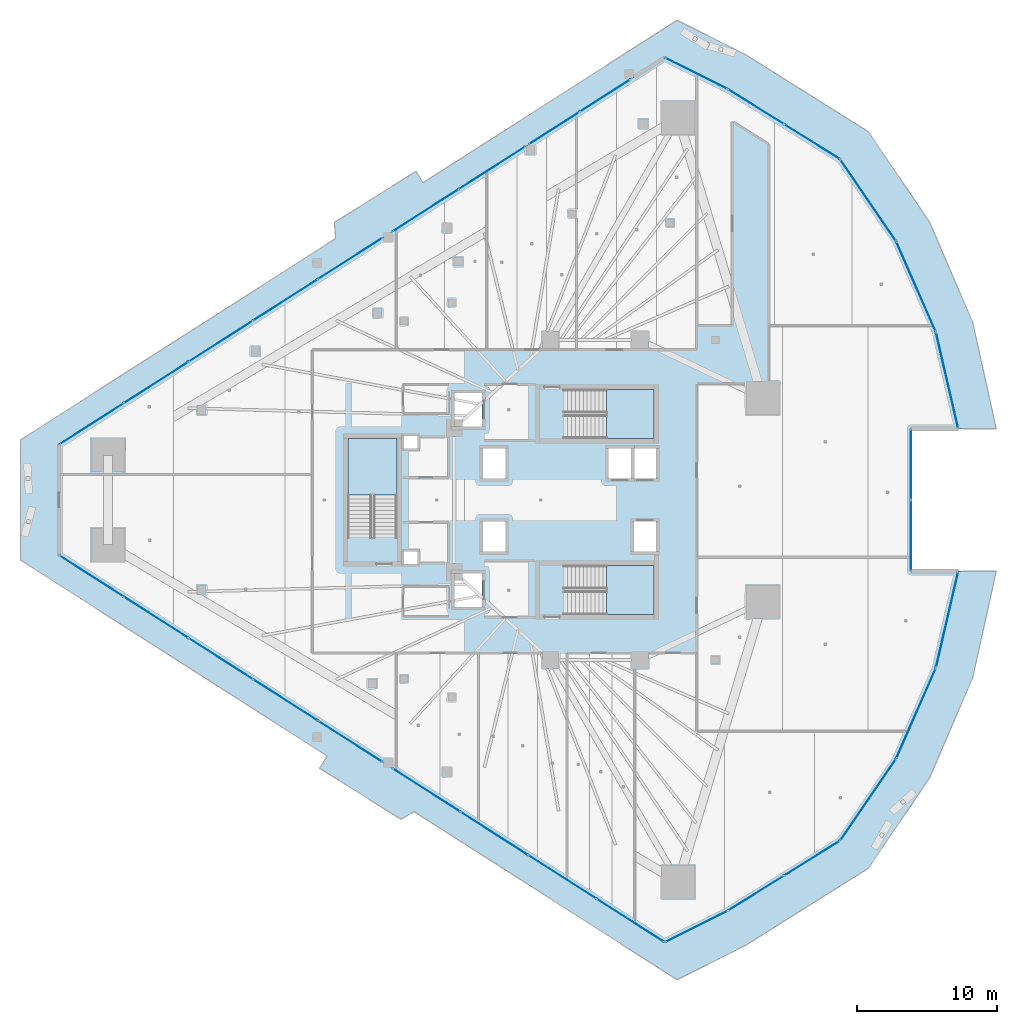
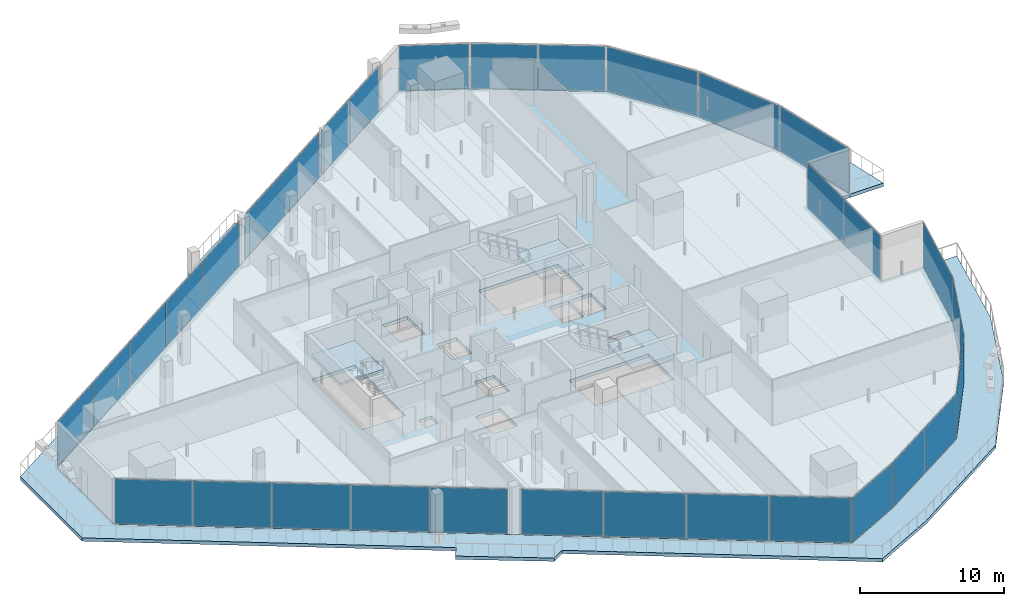
# One storey, part 28 of 45: 32 plates, 5 slabs, 19 elements without a shape of their own.
"""IFC4 building model written with IfcOpenShell, lengths in metres."""

from ifc_helpers import new_model, si_unit, direction, frame, origin, origin_2d, place, context, subcontext, project, spatial, polyline, rectangle, outline, extrude, material, layer, layer_set, type_object, element, aggregate, save


model = new_model("IFC4")

# Units and contexts
model_context = context("Model", 3, precision=1e-05, world=origin(), true_north=direction((0.0, 1.0)))
body_context = subcontext(model_context, "Body", "Model", "MODEL_VIEW")
ifc_project = project(units=[si_unit("LENGTHUNIT", "METRE"), si_unit("AREAUNIT", "SQUARE_METRE"), si_unit("VOLUMEUNIT", "CUBIC_METRE"), si_unit("PLANEANGLEUNIT", "RADIAN"), si_unit("MASSUNIT", "GRAM", prefix="KILO")], contexts=[model_context])

# Site, building, storey
site_placement = place(None, origin())
site = spatial("IfcSite", under=ifc_project, at=site_placement, CompositionType="ELEMENT")
building_placement = place(site_placement, origin())
building = spatial("IfcBuilding", under=site, at=building_placement, Name="Qorvath Tower", CompositionType="ELEMENT")
storey_placement = place(building_placement, frame((0.0, 0.0, 91.199951171875)))
storey = spatial("IfcBuildingStorey", under=building, at=storey_placement, Name="L20", CompositionType="ELEMENT", Elevation=91.199951171875)

# Curtain wall, plates
ifc_material_1 = material(Name="Anodised aluminium and triple low-E glass", Category="aluminium")
ifc_layer_1 = layer(ifc_material_1, 0.179931640625)
ifc_layer_set_1 = layer_set([ifc_layer_1], Name="CW-SYS-2")
curtain_wall_type = type_object("IfcCurtainWallType", Name="CW-SYS-2", PredefinedType="NOTDEFINED", material=ifc_layer_set_1)
curtain_wall_1_placement = place(storey_placement, origin())
curtain_wall_1 = element("IfcCurtainWall", 1, at=curtain_wall_1_placement, inside=storey, type_object=curtain_wall_type, Name="Curtain Wall CW-2 CW-T-L20-2.1", PredefinedType="NOTDEFINED")
ifc_material_2 = material(Name="Low-E triple insulated glass", Category="glass")
ifc_layer_2 = layer(ifc_material_2, 0.031982421875)
ifc_layer_set_2 = layer_set([ifc_layer_2], Name="CWP-GLZ-32")
plate_type = type_object("IfcPlateType", Name="CWP-GLZ-32", PredefinedType="CURTAIN_PANEL", material=ifc_layer_set_2)
plate_1_placement = place(storey_placement, frame((-56.46240234375, -5.447509765625, 0.065185546875), z_axis=(0.0, 0.0, 1.0), x_axis=(0.842606791309, -0.53852928912, 0.0)))
plate_1 = element("IfcPlate", 2, at=plate_1_placement, type_object=plate_type, Name="CW-2 panel 1.1", PredefinedType="CURTAIN_PANEL", context=body_context, shape_type="SweptSolid", body=[
    extrude(rectangle(XDim=5.402587890625, YDim=0.031982421875, at=origin_2d()), origin(), (0.0, 0.0, 1.0), 3.7900390625),
])
plate_2_placement = place(storey_placement, frame((-51.841796875, -8.400634765625, 0.065185546875), z_axis=(0.0, 0.0, 1.0), x_axis=(0.842606791309, -0.53852928912, 0.0)))
plate_2 = element("IfcPlate", 3, at=plate_2_placement, type_object=plate_type, Name="CW-2 panel 2.1", PredefinedType="CURTAIN_PANEL", context=body_context, shape_type="SweptSolid", body=[
    extrude(rectangle(XDim=5.43505859375, YDim=0.031982421875, at=origin_2d()), origin(), (0.0, 0.0, 1.0), 3.7900390625),
])
plate_3_placement = place(storey_placement, frame((-47.20751953125, -11.362548828125, 0.065185546875), z_axis=(0.0, 0.0, 1.0), x_axis=(0.842606791309, -0.53852928912, 0.0)))
plate_3 = element("IfcPlate", 4, at=plate_3_placement, type_object=plate_type, Name="CW-2 panel 3.1", PredefinedType="CURTAIN_PANEL", context=body_context, shape_type="SweptSolid", body=[
    extrude(rectangle(XDim=5.43505859375, YDim=0.031982421875, at=origin_2d()), origin(), (0.0, 0.0, 1.0), 3.7900390625),
])
plate_4_placement = place(storey_placement, frame((-42.572998046875, -14.324462890625, 0.065185546875), z_axis=(0.0, 0.0, 1.0), x_axis=(0.842606791309, -0.53852928912, 0.0)))
plate_4 = element("IfcPlate", 5, at=plate_4_placement, type_object=plate_type, Name="CW-2 panel 4.1", PredefinedType="CURTAIN_PANEL", context=body_context, shape_type="SweptSolid", body=[
    extrude(rectangle(XDim=5.43505859375, YDim=0.031982421875, at=origin_2d()), origin(), (0.0, 0.0, 1.0), 3.7900390625),
])
plate_5_placement = place(storey_placement, frame((-37.952392578125, -17.277587890625, 0.065185546875), z_axis=(0.0, 0.0, 1.0), x_axis=(0.842606791309, -0.53852928912, 0.0)))
plate_5 = element("IfcPlate", 6, at=plate_5_placement, type_object=plate_type, Name="CW-2 panel 5.1", PredefinedType="CURTAIN_PANEL", context=body_context, shape_type="SweptSolid", body=[
    extrude(rectangle(XDim=5.402587890625, YDim=0.031982421875, at=origin_2d()), origin(), (0.0, 0.0, 1.0), 3.7900390625),
])
aggregate(curtain_wall_1, [plate_1, plate_2, plate_3, plate_4, plate_5])

curtain_wall_2_placement = place(storey_placement, origin())
curtain_wall_2 = element("IfcCurtainWall", 7, at=curtain_wall_2_placement, inside=storey, type_object=curtain_wall_type, Name="Curtain Wall CW-2 CW-T-L20-2.2", PredefinedType="NOTDEFINED")
plate_6_placement = place(storey_placement, frame((-32.49462890625, -20.765869140625, 0.065185546875), z_axis=(0.0, 0.0, 1.0), x_axis=(0.842600838238, -0.538538603445, 0.0)))
plate_6 = element("IfcPlate", 8, at=plate_6_placement, type_object=plate_type, Name="CW-2 panel 1.1", PredefinedType="CURTAIN_PANEL", context=body_context, shape_type="SweptSolid", body=[
    extrude(rectangle(XDim=5.688232421875, YDim=0.031982421875, at=origin_2d()), origin(), (0.0, 0.0, 1.0), 3.7900390625),
])
plate_7_placement = place(storey_placement, frame((-27.63330078125, -23.872802734375, 0.065185546875), z_axis=(0.0, 0.0, 1.0), x_axis=(0.842600838238, -0.538538603445, 0.0)))
plate_7 = element("IfcPlate", 9, at=plate_7_placement, type_object=plate_type, Name="CW-2 panel 2.1", PredefinedType="CURTAIN_PANEL", context=body_context, shape_type="SweptSolid", body=[
    extrude(rectangle(XDim=5.720703125, YDim=0.031982421875, at=origin_2d()), origin(), (0.0, 0.0, 1.0), 3.7900390625),
])
plate_8_placement = place(storey_placement, frame((-22.75830078125, -26.98876953125, 0.065185546875), z_axis=(0.0, 0.0, 1.0), x_axis=(0.842600838238, -0.538538603445, 0.0)))
plate_8 = element("IfcPlate", 10, at=plate_8_placement, type_object=plate_type, Name="CW-2 panel 3.1", PredefinedType="CURTAIN_PANEL", context=body_context, shape_type="SweptSolid", body=[
    extrude(rectangle(XDim=5.720703125, YDim=0.031982421875, at=origin_2d()), origin(), (0.0, 0.0, 1.0), 3.7900390625),
])
plate_9_placement = place(storey_placement, frame((-17.89697265625, -30.095703125, 0.065185546875), z_axis=(0.0, 0.0, 1.0), x_axis=(0.842600838238, -0.538538603445, 0.0)))
plate_9 = element("IfcPlate", 11, at=plate_9_placement, type_object=plate_type, Name="CW-2 panel 4.1", PredefinedType="CURTAIN_PANEL", context=body_context, shape_type="SweptSolid", body=[
    extrude(rectangle(XDim=5.688232421875, YDim=0.031982421875, at=origin_2d()), origin(), (0.0, 0.0, 1.0), 3.7900390625),
])
aggregate(curtain_wall_2, [plate_6, plate_7, plate_8, plate_9])

# Curtain wall, plate
curtain_wall_3_placement = place(storey_placement, origin())
curtain_wall_3 = element("IfcCurtainWall", 12, at=curtain_wall_3_placement, inside=storey, type_object=curtain_wall_type, Name="Curtain Wall CW-2 CW-T-L20-3.1", PredefinedType="NOTDEFINED")
plate_10_placement = place(storey_placement, frame((-13.18408203125, -30.531494140625, 0.065185546875), z_axis=(0.0, 0.0, 1.0), x_axis=(0.894411371347, 0.447245233408, 0.0)))
plate_10 = element("IfcPlate", 13, at=plate_10_placement, type_object=plate_type, Name="CW-2 panel 1.1", PredefinedType="CURTAIN_PANEL", context=body_context, shape_type="SweptSolid", body=[
    extrude(rectangle(XDim=4.92724609375, YDim=0.031982421875, at=origin_2d()), origin(), (0.0, 0.0, 1.0), 3.7900390625),
])
aggregate(curtain_wall_3, [plate_10])

# Curtain wall, plates
curtain_wall_4_placement = place(storey_placement, origin())
curtain_wall_4 = element("IfcCurtainWall", 14, at=curtain_wall_4_placement, inside=storey, type_object=curtain_wall_type, Name="Curtain Wall CW-2 CW-T-L20-4.1", PredefinedType="NOTDEFINED")
plate_11_placement = place(storey_placement, frame((-8.898681640625, -28.136962890625, 0.065185546875), z_axis=(0.0, 0.0, 1.0), x_axis=(0.848250097573, 0.529595857203, 0.0)))
plate_11 = element("IfcPlate", 15, at=plate_11_placement, type_object=plate_type, Name="CW-2 panel 1.1", PredefinedType="CURTAIN_PANEL", context=body_context, shape_type="SweptSolid", body=[
    extrude(rectangle(XDim=4.641845703125, YDim=0.031982421875, at=origin_2d()), origin(), (0.0, 0.0, 1.0), 3.7900390625),
])
plate_12_placement = place(storey_placement, frame((-4.906005859375, -25.644287109375, 0.065185546875), z_axis=(0.0, 0.0, 1.0), x_axis=(0.848250097573, 0.529595857203, 0.0)))
plate_12 = element("IfcPlate", 16, at=plate_12_placement, type_object=plate_type, Name="CW-2 panel 2.1", PredefinedType="CURTAIN_PANEL", context=body_context, shape_type="SweptSolid", body=[
    extrude(rectangle(XDim=4.641845703125, YDim=0.031982421875, at=origin_2d()), origin(), (0.0, 0.0, 1.0), 3.7900390625),
])
aggregate(curtain_wall_4, [plate_11, plate_12])

# Curtain wall, plate
curtain_wall_5_placement = place(storey_placement, origin())
curtain_wall_5 = element("IfcCurtainWall", 17, at=curtain_wall_5_placement, inside=storey, type_object=curtain_wall_type, Name="Curtain Wall CW-2 CW-T-L20-5.1", PredefinedType="NOTDEFINED")
plate_13_placement = place(storey_placement, frame((-0.879638671875, -21.449462890625, 0.065185546875), z_axis=(0.0, 0.0, 1.0), x_axis=(0.564061676895, 0.825732659314, 0.0)))
plate_13 = element("IfcPlate", 18, at=plate_13_placement, type_object=plate_type, Name="CW-2 panel 1.1", PredefinedType="CURTAIN_PANEL", context=body_context, shape_type="SweptSolid", body=[
    extrude(rectangle(XDim=6.9697265625, YDim=0.031982421875, at=origin_2d()), origin(), (0.0, 0.0, 1.0), 3.7900390625),
])
aggregate(curtain_wall_5, [plate_13])

curtain_wall_6_placement = place(storey_placement, origin())
curtain_wall_6 = element("IfcCurtainWall", 19, at=curtain_wall_6_placement, inside=storey, type_object=curtain_wall_type, Name="Curtain Wall CW-2 CW-T-L20-6.1", PredefinedType="NOTDEFINED")
plate_14_placement = place(storey_placement, frame((2.5478515625, -15.266845703125, 0.065185546875), z_axis=(0.0, 0.0, 1.0), x_axis=(0.401477051262, 0.915869083062, 0.0)))
plate_14 = element("IfcPlate", 20, at=plate_14_placement, type_object=plate_type, Name="CW-2 panel 1.1", PredefinedType="CURTAIN_PANEL", context=body_context, shape_type="SweptSolid", body=[
    extrude(rectangle(XDim=6.969970703125, YDim=0.031982421875, at=origin_2d()), origin(), (0.0, 0.0, 1.0), 3.7900390625),
])
aggregate(curtain_wall_6, [plate_14])

curtain_wall_7_placement = place(storey_placement, origin())
curtain_wall_7 = element("IfcCurtainWall", 21, at=curtain_wall_7_placement, inside=storey, type_object=curtain_wall_type, Name="Curtain Wall CW-2 CW-T-L20-7.1", PredefinedType="NOTDEFINED")
plate_15_placement = place(storey_placement, frame((4.77197265625, -8.556640625, 0.065185546875), z_axis=(0.0, 0.0, 1.0), x_axis=(0.225034377346, 0.974350824402, 0.0)))
plate_15 = element("IfcPlate", 22, at=plate_15_placement, type_object=plate_type, Name="CW-2 panel 1.1", PredefinedType="CURTAIN_PANEL", context=body_context, shape_type="SweptSolid", body=[
    extrude(rectangle(XDim=6.9697265625, YDim=0.031982421875, at=origin_2d()), origin(), (0.0, 0.0, 1.0), 3.7900390625),
])
aggregate(curtain_wall_7, [plate_15])

# Curtain wall, plates
curtain_wall_8_placement = place(storey_placement, origin())
curtain_wall_8 = element("IfcCurtainWall", 23, at=curtain_wall_8_placement, inside=storey, type_object=curtain_wall_type, Name="Curtain Wall CW-2 CW-T-L20-9.1", PredefinedType="NOTDEFINED")
plate_16_placement = place(storey_placement, frame((2.17236328125, -2.53271484375, 0.065185546875), z_axis=(0.0, 0.0, 1.0), x_axis=(0.0, 1.0, 0.0)))
plate_16 = element("IfcPlate", 24, at=plate_16_placement, type_object=plate_type, Name="CW-2 panel 1.1", PredefinedType="CURTAIN_PANEL", context=body_context, shape_type="SweptSolid", body=[
    extrude(rectangle(XDim=5.000244140625, YDim=0.031982421875, at=origin_2d()), origin(), (0.0, 0.0, 1.0), 3.7900390625),
])
plate_17_placement = place(storey_placement, frame((2.17236328125, 2.53271484375, 0.065185546875), z_axis=(0.0, 0.0, 1.0), x_axis=(0.0, 1.0, 0.0)))
plate_17 = element("IfcPlate", 25, at=plate_17_placement, type_object=plate_type, Name="CW-2 panel 2.1", PredefinedType="CURTAIN_PANEL", context=body_context, shape_type="SweptSolid", body=[
    extrude(rectangle(XDim=5.000244140625, YDim=0.031982421875, at=origin_2d()), origin(), (0.0, 0.0, 1.0), 3.7900390625),
])
aggregate(curtain_wall_8, [plate_16, plate_17])

# Curtain wall, plate
curtain_wall_9_placement = place(storey_placement, origin())
curtain_wall_9 = element("IfcCurtainWall", 26, at=curtain_wall_9_placement, inside=storey, type_object=curtain_wall_type, Name="Curtain Wall CW-2 CW-T-L20-11.1", PredefinedType="NOTDEFINED")
plate_18_placement = place(storey_placement, frame((4.77197265625, 8.556640625, 0.065185546875), z_axis=(0.0, 0.0, 1.0), x_axis=(-0.225034377346, 0.974350824402, 0.0)))
plate_18 = element("IfcPlate", 27, at=plate_18_placement, type_object=plate_type, Name="CW-2 panel 1.1", PredefinedType="CURTAIN_PANEL", context=body_context, shape_type="SweptSolid", body=[
    extrude(rectangle(XDim=6.9697265625, YDim=0.031982421875, at=origin_2d()), origin(), (0.0, 0.0, 1.0), 3.7900390625),
])
aggregate(curtain_wall_9, [plate_18])

curtain_wall_10_placement = place(storey_placement, origin())
curtain_wall_10 = element("IfcCurtainWall", 28, at=curtain_wall_10_placement, inside=storey, type_object=curtain_wall_type, Name="Curtain Wall CW-2 CW-T-L20-12.1", PredefinedType="NOTDEFINED")
plate_19_placement = place(storey_placement, frame((2.5478515625, 15.266845703125, 0.065185546875), z_axis=(0.0, 0.0, 1.0), x_axis=(-0.401477051262, 0.915869083062, 0.0)))
plate_19 = element("IfcPlate", 29, at=plate_19_placement, type_object=plate_type, Name="CW-2 panel 1.1", PredefinedType="CURTAIN_PANEL", context=body_context, shape_type="SweptSolid", body=[
    extrude(rectangle(XDim=6.969970703125, YDim=0.031982421875, at=origin_2d()), origin(), (0.0, 0.0, 1.0), 3.7900390625),
])
aggregate(curtain_wall_10, [plate_19])

curtain_wall_11_placement = place(storey_placement, origin())
curtain_wall_11 = element("IfcCurtainWall", 30, at=curtain_wall_11_placement, inside=storey, type_object=curtain_wall_type, Name="Curtain Wall CW-2 CW-T-L20-13.1", PredefinedType="NOTDEFINED")
plate_20_placement = place(storey_placement, frame((-0.879638671875, 21.449462890625, 0.065185546875), z_axis=(0.0, 0.0, 1.0), x_axis=(-0.564061676895, 0.825732659314, 0.0)))
plate_20 = element("IfcPlate", 31, at=plate_20_placement, type_object=plate_type, Name="CW-2 panel 1.1", PredefinedType="CURTAIN_PANEL", context=body_context, shape_type="SweptSolid", body=[
    extrude(rectangle(XDim=6.9697265625, YDim=0.031982421875, at=origin_2d()), origin(), (0.0, 0.0, 1.0), 3.7900390625),
])
aggregate(curtain_wall_11, [plate_20])

# Curtain wall, plates
curtain_wall_12_placement = place(storey_placement, origin())
curtain_wall_12 = element("IfcCurtainWall", 32, at=curtain_wall_12_placement, inside=storey, type_object=curtain_wall_type, Name="Curtain Wall CW-2 CW-T-L20-14.1", PredefinedType="NOTDEFINED")
plate_21_placement = place(storey_placement, frame((-4.906005859375, 25.644287109375, 0.065185546875), z_axis=(0.0, 0.0, 1.0), x_axis=(-0.848250097573, 0.529595857203, 0.0)))
plate_21 = element("IfcPlate", 33, at=plate_21_placement, type_object=plate_type, Name="CW-2 panel 1.1", PredefinedType="CURTAIN_PANEL", context=body_context, shape_type="SweptSolid", body=[
    extrude(rectangle(XDim=4.641845703125, YDim=0.031982421875, at=origin_2d()), origin(), (0.0, 0.0, 1.0), 3.7900390625),
])
plate_22_placement = place(storey_placement, frame((-8.898681640625, 28.136962890625, 0.065185546875), z_axis=(0.0, 0.0, 1.0), x_axis=(-0.848250097573, 0.529595857203, 0.0)))
plate_22 = element("IfcPlate", 34, at=plate_22_placement, type_object=plate_type, Name="CW-2 panel 2.1", PredefinedType="CURTAIN_PANEL", context=body_context, shape_type="SweptSolid", body=[
    extrude(rectangle(XDim=4.641845703125, YDim=0.031982421875, at=origin_2d()), origin(), (0.0, 0.0, 1.0), 3.7900390625),
])
aggregate(curtain_wall_12, [plate_21, plate_22])

# Curtain wall, plate
curtain_wall_13_placement = place(storey_placement, origin())
curtain_wall_13 = element("IfcCurtainWall", 35, at=curtain_wall_13_placement, inside=storey, type_object=curtain_wall_type, Name="Curtain Wall CW-2 CW-T-L20-15.1", PredefinedType="NOTDEFINED")
plate_23_placement = place(storey_placement, frame((-13.18408203125, 30.531494140625, 0.065185546875), z_axis=(0.0, 0.0, 1.0), x_axis=(-0.894411371347, 0.447245233408, 0.0)))
plate_23 = element("IfcPlate", 36, at=plate_23_placement, type_object=plate_type, Name="CW-2 panel 1.1", PredefinedType="CURTAIN_PANEL", context=body_context, shape_type="SweptSolid", body=[
    extrude(rectangle(XDim=4.92724609375, YDim=0.031982421875, at=origin_2d()), origin(), (0.0, 0.0, 1.0), 3.7900390625),
])
aggregate(curtain_wall_13, [plate_23])

# Curtain wall, plates
curtain_wall_14_placement = place(storey_placement, origin())
curtain_wall_14 = element("IfcCurtainWall", 37, at=curtain_wall_14_placement, inside=storey, type_object=curtain_wall_type, Name="Curtain Wall CW-2 CW-T-L20-16.2", PredefinedType="NOTDEFINED")
plate_24_placement = place(storey_placement, frame((-19.696044921875, 28.94580078125, 0.065185546875), z_axis=(0.0, 0.0, 1.0), x_axis=(-0.842599952158, -0.538539989809, 0.0)))
plate_24 = element("IfcPlate", 38, at=plate_24_placement, type_object=plate_type, Name="CW-2 panel 1.1", PredefinedType="CURTAIN_PANEL", context=body_context, shape_type="SweptSolid", body=[
    extrude(rectangle(XDim=4.267333984375, YDim=0.031982421875, at=origin_2d()), origin(), (0.0, 0.0, 1.0), 3.7900390625),
])
plate_25_placement = place(storey_placement, frame((-23.346435546875, 26.61279296875, 0.065185546875), z_axis=(0.0, 0.0, 1.0), x_axis=(-0.842599952158, -0.538539989809, 0.0)))
plate_25 = element("IfcPlate", 39, at=plate_25_placement, type_object=plate_type, Name="CW-2 panel 2.1", PredefinedType="CURTAIN_PANEL", context=body_context, shape_type="SweptSolid", body=[
    extrude(rectangle(XDim=4.267333984375, YDim=0.031982421875, at=origin_2d()), origin(), (0.0, 0.0, 1.0), 3.7900390625),
])
aggregate(curtain_wall_14, [plate_24, plate_25])

curtain_wall_15_placement = place(storey_placement, origin())
curtain_wall_15 = element("IfcCurtainWall", 40, at=curtain_wall_15_placement, inside=storey, type_object=curtain_wall_type, Name="Curtain Wall CW-2 CW-T-L20-16.3", PredefinedType="NOTDEFINED")
plate_26_placement = place(storey_placement, frame((-27.805908203125, 23.7626953125, 0.065185546875), z_axis=(0.0, 0.0, 1.0), x_axis=(-0.842599497749, -0.538540700777, 0.0)))
plate_26 = element("IfcPlate", 41, at=plate_26_placement, type_object=plate_type, Name="CW-2 panel 1.1", PredefinedType="CURTAIN_PANEL", context=body_context, shape_type="SweptSolid", body=[
    extrude(rectangle(XDim=5.5625, YDim=0.031982421875, at=origin_2d()), origin(), (0.0, 0.0, 1.0), 3.7900390625),
])
plate_27_placement = place(storey_placement, frame((-32.547607421875, 20.73193359375, 0.065185546875), z_axis=(0.0, 0.0, 1.0), x_axis=(-0.842599497749, -0.538540700777, 0.0)))
plate_27 = element("IfcPlate", 42, at=plate_27_placement, type_object=plate_type, Name="CW-2 panel 2.1", PredefinedType="CURTAIN_PANEL", context=body_context, shape_type="SweptSolid", body=[
    extrude(rectangle(XDim=5.5625, YDim=0.031982421875, at=origin_2d()), origin(), (0.0, 0.0, 1.0), 3.7900390625),
])
aggregate(curtain_wall_15, [plate_26, plate_27])

curtain_wall_16_placement = place(storey_placement, origin())
curtain_wall_16 = element("IfcCurtainWall", 43, at=curtain_wall_16_placement, inside=storey, type_object=curtain_wall_type, Name="Curtain Wall CW-2 CW-T-L20-16.4", PredefinedType="NOTDEFINED")
plate_28_placement = place(storey_placement, frame((-37.952392578125, 17.277587890625, 0.065185546875), z_axis=(0.0, 0.0, 1.0), x_axis=(-0.842606791309, -0.53852928912, 0.0)))
plate_28 = element("IfcPlate", 44, at=plate_28_placement, type_object=plate_type, Name="CW-2 panel 1.1", PredefinedType="CURTAIN_PANEL", context=body_context, shape_type="SweptSolid", body=[
    extrude(rectangle(XDim=5.402587890625, YDim=0.031982421875, at=origin_2d()), origin(), (0.0, 0.0, 1.0), 3.7900390625),
])
plate_29_placement = place(storey_placement, frame((-42.572998046875, 14.324462890625, 0.065185546875), z_axis=(0.0, 0.0, 1.0), x_axis=(-0.842606791309, -0.53852928912, 0.0)))
plate_29 = element("IfcPlate", 45, at=plate_29_placement, type_object=plate_type, Name="CW-2 panel 2.1", PredefinedType="CURTAIN_PANEL", context=body_context, shape_type="SweptSolid", body=[
    extrude(rectangle(XDim=5.43505859375, YDim=0.031982421875, at=origin_2d()), origin(), (0.0, 0.0, 1.0), 3.7900390625),
])
plate_30_placement = place(storey_placement, frame((-47.20751953125, 11.362548828125, 0.065185546875), z_axis=(0.0, 0.0, 1.0), x_axis=(-0.842606791309, -0.53852928912, 0.0)))
plate_30 = element("IfcPlate", 46, at=plate_30_placement, type_object=plate_type, Name="CW-2 panel 3.1", PredefinedType="CURTAIN_PANEL", context=body_context, shape_type="SweptSolid", body=[
    extrude(rectangle(XDim=5.43505859375, YDim=0.031982421875, at=origin_2d()), origin(), (0.0, 0.0, 1.0), 3.7900390625),
])
plate_31_placement = place(storey_placement, frame((-51.841796875, 8.400634765625, 0.065185546875), z_axis=(0.0, 0.0, 1.0), x_axis=(-0.842606791309, -0.53852928912, 0.0)))
plate_31 = element("IfcPlate", 47, at=plate_31_placement, type_object=plate_type, Name="CW-2 panel 4.1", PredefinedType="CURTAIN_PANEL", context=body_context, shape_type="SweptSolid", body=[
    extrude(rectangle(XDim=5.43505859375, YDim=0.031982421875, at=origin_2d()), origin(), (0.0, 0.0, 1.0), 3.7900390625),
])
plate_32_placement = place(storey_placement, frame((-56.46240234375, 5.447509765625, 0.065185546875), z_axis=(0.0, 0.0, 1.0), x_axis=(-0.842606791309, -0.53852928912, 0.0)))
plate_32 = element("IfcPlate", 48, at=plate_32_placement, type_object=plate_type, Name="CW-2 panel 5.1", PredefinedType="CURTAIN_PANEL", context=body_context, shape_type="SweptSolid", body=[
    extrude(rectangle(XDim=5.402587890625, YDim=0.031982421875, at=origin_2d()), origin(), (0.0, 0.0, 1.0), 3.7900390625),
])
aggregate(curtain_wall_16, [plate_28, plate_29, plate_30, plate_31, plate_32])

# Stair, slab
ifc_material_3 = material(Name="Concrete C50/60", Category="concrete")
stair_type = type_object("IfcStairType", Name="ST-H420", PredefinedType="HALF_TURN_STAIR", material=ifc_material_3)
stair_1_placement = place(storey_placement, origin())
stair_1 = element("IfcStair", 49, at=stair_1_placement, inside=storey, type_object=stair_type, Name="L20 Tower Exit Stair 1", PredefinedType="HALF_TURN_STAIR")
ifc_material_4 = material(Name="Concrete C50/60", Category="concrete")
ifc_layer_3 = layer(ifc_material_4, 0.199951171875)
ifc_layer_set_3 = layer_set([ifc_layer_3], Name="SL-LND-200")
slab_type_1 = type_object("IfcSlabType", Name="SL-LND-200", PredefinedType="LANDING", material=ifc_layer_set_3)
slab_1_placement = place(storey_placement, frame((0.0, 0.0, 1.900146484375)))
slab_1 = element("IfcSlab", 50, at=slab_1_placement, type_object=slab_type_1, Name="TS1 landing 1", PredefinedType="LANDING", context=body_context, shape_type="SweptSolid", body=[
    extrude(outline(polyline([(-19.590087890625, 4.39990234375), (-16.199951171875, 4.39990234375), (-16.199951171875, 7.909912109375), (-19.590087890625, 7.909912109375), (-19.590087890625, 4.39990234375)])), origin(), (0.0, 0.0, 1.0), 0.199951171875),
])
aggregate(stair_1, [slab_1])

stair_2_placement = place(storey_placement, origin())
stair_2 = element("IfcStair", 51, at=stair_2_placement, inside=storey, type_object=stair_type, Name="L20 Tower Exit Stair 2", PredefinedType="HALF_TURN_STAIR")
slab_2_placement = place(storey_placement, frame((0.0, 0.0, 1.900146484375)))
slab_2 = element("IfcSlab", 52, at=slab_2_placement, type_object=slab_type_1, Name="TS2 landing 1", PredefinedType="LANDING", context=body_context, shape_type="SweptSolid", body=[
    extrude(outline(polyline([(-19.590087890625, -8.199951171875), (-16.199951171875, -8.199951171875), (-16.199951171875, -4.68994140625), (-19.590087890625, -4.68994140625), (-19.590087890625, -8.199951171875)])), origin(), (0.0, 0.0, 1.0), 0.199951171875),
])
aggregate(stair_2, [slab_2])

stair_3_placement = place(storey_placement, origin())
stair_3 = element("IfcStair", 53, at=stair_3_placement, inside=storey, type_object=stair_type, Name="L20 Tower Exit Stair 3", PredefinedType="HALF_TURN_STAIR")
slab_3_placement = place(storey_placement, frame((0.0, 0.0, 1.900146484375)))
slab_3 = element("IfcSlab", 54, at=slab_3_placement, type_object=slab_type_1, Name="TS3 landing 1", PredefinedType="LANDING", context=body_context, shape_type="SweptSolid", body=[
    extrude(outline(polyline([(-34.60009765625, 0.360107421875), (-34.60009765625, 4.39990234375), (-38.110107421875, 4.39990234375), (-38.110107421875, 0.360107421875), (-34.60009765625, 0.360107421875)])), origin(), (0.0, 0.0, 1.0), 0.199951171875),
])
aggregate(stair_3, [slab_3])

# Slabs
ifc_material_5 = material(Name="Precast concrete C45/55", Category="concrete")
ifc_layer_4 = layer(ifc_material_5, 0.280029296875)
ifc_layer_set_4 = layer_set([ifc_layer_4], Name="SL-LOG-280")
slab_type_2 = type_object("IfcSlabType", Name="SL-LOG-280", PredefinedType="FLOOR", material=ifc_layer_set_4)
slab_4_placement = place(storey_placement, frame((0.0, 0.0, -0.280029296875)))
element("IfcSlab", 55, at=slab_4_placement, inside=storey, type_object=slab_type_2, Name="Tower L20 Perimeter Loggia and Terrace Slab", PredefinedType="FLOOR", context=body_context, shape_type="SweptSolid", body=[
    extrude(outline(polyline([(-34.31103515625, -22.847900390625), (-33.377197265625, -22.3017578125), (-14.556396484375, -34.33056640625), (-9.652099609375, -31.87841796875), (-0.864990234375, -26.351806640625), (3.5126953125, -19.888916015625), (6.60009765625, -12.71923828125), (8.286865234375, -5.09765625), (5.57080078125, -5.09765625), (3.97314453125, -12.015380859375), (1.12255859375, -18.51806640625), (-2.882080078125, -24.380615234375), (-10.922607421875, -29.400634765625), (-15.44580078125, -31.662353515625), (-58.793212890625, -3.957763671875), (-58.793212890625, 3.957763671875), (-15.44580078125, 31.662353515625), (-10.922607421875, 29.400634765625), (-2.882080078125, 24.380615234375), (1.12255859375, 18.51806640625), (3.97314453125, 12.015380859375), (5.57080078125, 5.09765625), (8.286865234375, 5.09765625), (6.60009765625, 12.71923828125), (3.5126953125, 19.888916015625), (-0.864990234375, 26.351806640625), (-9.652099609375, 31.87841796875), (-14.556396484375, 34.33056640625), (-32.740966796875, 22.708251953125), (-33.235595703125, 23.52001953125), (-39.076904296875, 19.869873046875), (-38.98974609375, 18.714599609375), (-61.556640625, 4.291259765625), (-61.556640625, -4.291259765625), (-39.594970703125, -18.32763671875), (-40.152587890625, -19.197998046875), (-34.31103515625, -22.847900390625)])), origin(), (0.0, 0.0, 1.0), 0.280029296875),
])
ifc_material_6 = material(Name="Concrete C45/55", Category="concrete")
ifc_layer_5 = layer(ifc_material_6, 0.280029296875)
ifc_layer_set_5 = layer_set([ifc_layer_5], Name="SL-TYP-280")
slab_type_3 = type_object("IfcSlabType", Name="SL-TYP-280", PredefinedType="FLOOR", material=ifc_layer_set_5)
slab_5_placement = place(storey_placement, frame((0.0, 0.0, -0.280029296875)))
element("IfcSlab", 56, at=slab_5_placement, inside=storey, type_object=slab_type_3, Name="Tower L20 Interior Floor Slab", PredefinedType="FLOOR", context=body_context, shape_type="SweptSolid", body=[
    extrude(outline(polyline([(-58.793212890625, 3.957763671875), (-58.793212890625, -3.957763671875), (-15.44580078125, -31.662353515625), (-10.922607421875, -29.400634765625), (-2.882080078125, -24.380615234375), (1.12255859375, -18.51806640625), (3.97314453125, -12.015380859375), (5.57080078125, -5.09765625), (2.17236328125, -5.09765625), (2.17236328125, 5.09765625), (5.57080078125, 5.09765625), (3.97314453125, 12.015380859375), (1.12255859375, 18.51806640625), (-2.882080078125, 24.380615234375), (-10.922607421875, 29.400634765625), (-15.44580078125, 31.662353515625), (-58.793212890625, 3.957763671875)]), holes=[polyline([(-17.64990234375, -3.699951171875), (-17.64990234375, -1.550048828125), (-16.050048828125, -1.550048828125), (-16.050048828125, -3.699951171875), (-17.64990234375, -3.699951171875)]), polyline([(-17.64990234375, 1.550048828125), (-17.64990234375, 3.699951171875), (-16.050048828125, 3.699951171875), (-16.050048828125, 1.550048828125), (-17.64990234375, 1.550048828125)]), polyline([(-16.2451171875, -8.199951171875), (-22.625, -8.199951171875), (-22.625, -4.68994140625), (-16.2451171875, -4.68994140625), (-16.2451171875, -8.199951171875)]), polyline([(-22.625, 4.39990234375), (-22.625, 7.909912109375), (-16.2451171875, 7.909912109375), (-16.2451171875, 4.39990234375), (-22.625, 4.39990234375)]), polyline([(-17.85009765625, 1.550048828125), (-19.449951171875, 1.550048828125), (-19.449951171875, 3.699951171875), (-17.85009765625, 3.699951171875), (-17.85009765625, 1.550048828125)]), polyline([(-28.449951171875, -3.699951171875), (-28.449951171875, -1.550048828125), (-26.85009765625, -1.550048828125), (-26.85009765625, -3.699951171875), (-28.449951171875, -3.699951171875)]), polyline([(-26.85009765625, 1.550048828125), (-28.449951171875, 1.550048828125), (-28.449951171875, 3.699951171875), (-26.85009765625, 3.699951171875), (-26.85009765625, 1.550048828125)]), polyline([(-28.5, -7.64990234375), (-30.5, -7.64990234375), (-30.5, -5.25), (-28.5, -5.25), (-28.5, -7.64990234375)]), polyline([(-30.5, 5.25), (-30.5, 7.64990234375), (-28.5, 7.64990234375), (-28.5, 5.25), (-30.5, 5.25)]), polyline([(-34.14990234375, -4.6201171875), (-34.14990234375, -3.64990234375), (-33.10009765625, -3.64990234375), (-33.10009765625, -4.6201171875), (-34.14990234375, -4.6201171875)]), polyline([(-34.14990234375, 3.64990234375), (-34.14990234375, 4.6201171875), (-33.10009765625, 4.6201171875), (-33.10009765625, 3.64990234375), (-34.14990234375, 3.64990234375)]), polyline([(-34.60009765625, -2.675048828125), (-38.110107421875, -2.675048828125), (-38.110107421875, 4.35498046875), (-34.60009765625, 4.35498046875), (-34.60009765625, -2.675048828125)])]), origin(), (0.0, 0.0, 1.0), 0.280029296875),
])

save(model, "model.ifc")
